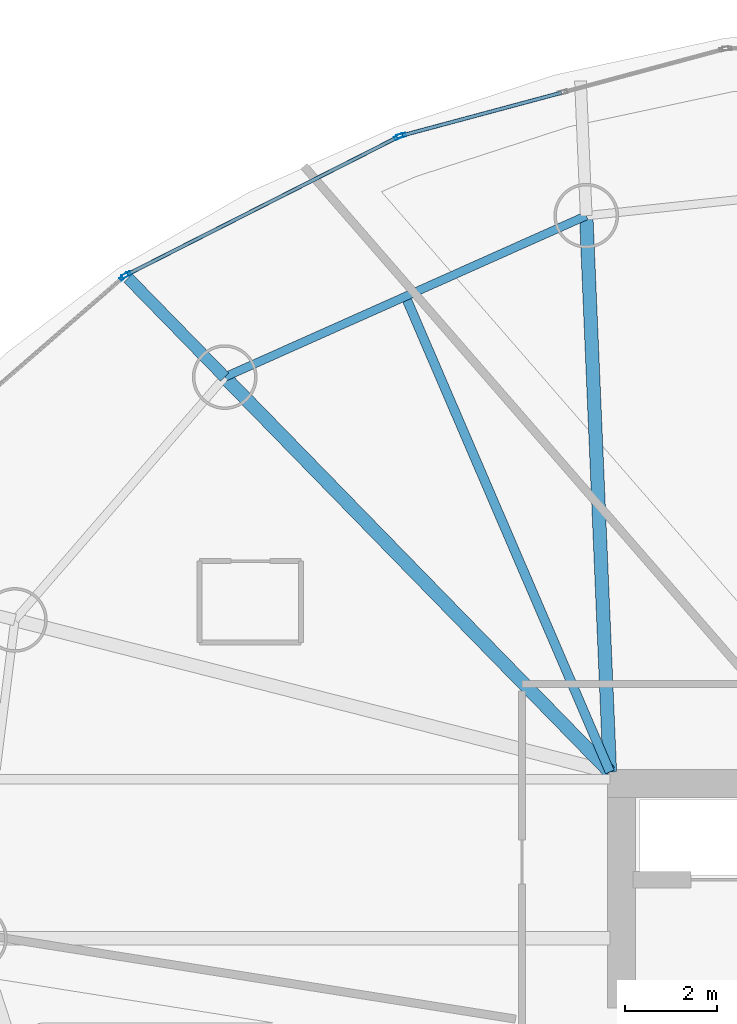
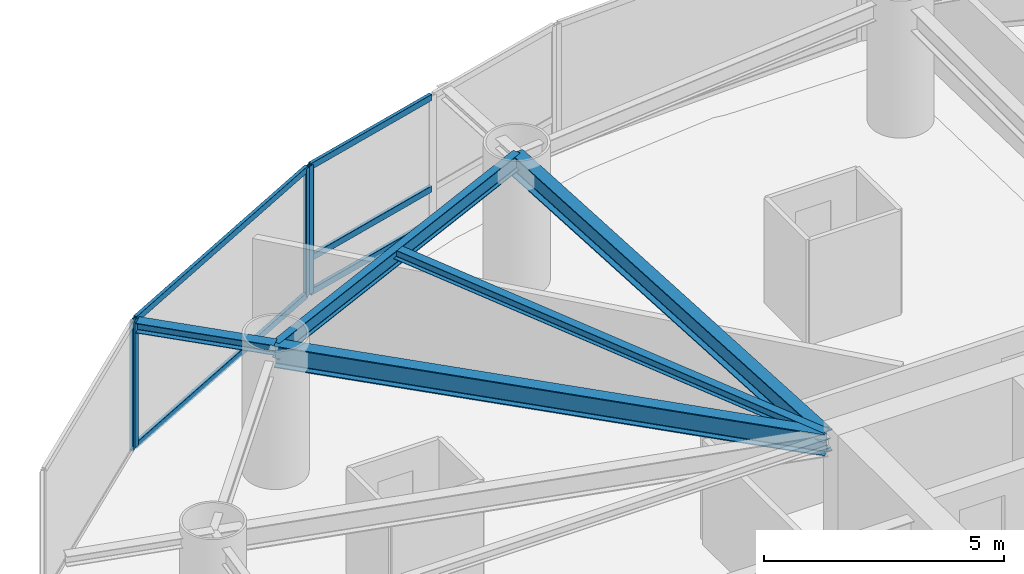
# One storey, part 8 of 19: 9 members, 5 beams, 3 elements without a shape of their own.
"""IFC4 building model written with IfcOpenShell, lengths in metres."""

from ifc_helpers import new_model, si_unit, direction, frame, origin, origin_2d, place, context, subcontext, project, spatial, hollow_rectangle, i_section, extrude, material, layer, layer_set, material_profile, profile_set, type_object, element, aggregate, save


model = new_model("IFC4")

# Units and contexts
model_context = context("Model", 3, precision=1e-05, world=origin(), true_north=direction((0.0, 1.0)))
body_context = subcontext(model_context, "Body", "Model", "MODEL_VIEW")
ifc_project = project(units=[si_unit("LENGTHUNIT", "METRE"), si_unit("AREAUNIT", "SQUARE_METRE"), si_unit("VOLUMEUNIT", "CUBIC_METRE"), si_unit("PLANEANGLEUNIT", "RADIAN"), si_unit("MASSUNIT", "GRAM", prefix="KILO")], contexts=[model_context])

# Site, building, storey
site_placement = place(None, origin())
site = spatial("IfcSite", under=ifc_project, at=site_placement, CompositionType="ELEMENT")
building_placement = place(site_placement, origin())
building = spatial("IfcBuilding", under=site, at=building_placement, Name="Bramvorn Convention Spire", CompositionType="ELEMENT")
storey_placement = place(building_placement, frame((0.0, 0.0, 109.800048828125)))
storey = spatial("IfcBuildingStorey", under=building, at=storey_placement, Name="L26", CompositionType="ELEMENT", Elevation=109.800048828125)

# Beams
ifc_material_1 = material(Name="Steel CSA G40.21 Grade 350 (350W)", Category="steel")
ifc_material_profile_1 = material_profile(ifc_material_1, i_section(OverallWidth=0.201904296875, OverallDepth=0.2470703125, WebThickness=0.00732421875, FlangeThickness=0.010986328125, FilletRadius=0.011962890625, at=origin_2d()))
ifc_profile_set_1 = profile_set([ifc_material_profile_1], Name="Steel CSA G40.21 Grade 350 (350W) - W250X49")
beam_type_1 = type_object("IfcBeamType", Name="BM-W250X49", PredefinedType="JOIST", material=ifc_profile_set_1)
beam_1_placement = place(storey_placement, frame((26.75, 33.449951171875, 3.136474609375), z_axis=(-0.394937739893, 0.918707886985, 0.0), x_axis=(-0.918707886985, -0.394937739893, 0.0)))
element("IfcBeam", 1, at=beam_1_placement, inside=storey, type_object=beam_type_1, Name="L26 composite floor joist 07", PredefinedType="JOIST", context=body_context, shape_type="SweptSolid", body=[
    extrude(i_section(OverallWidth=0.201904296875, OverallDepth=0.2470703125, WebThickness=0.00732421875, FlangeThickness=0.010986328125, FilletRadius=0.011962890625, at=origin_2d()), origin(), (0.0, 0.0, 1.0), 11.19384765625),
])
ifc_material_profile_2 = material_profile(ifc_material_1, i_section(OverallWidth=0.25390625, OverallDepth=0.2529296875, WebThickness=0.008544921875, FlangeThickness=0.01416015625, FilletRadius=0.011962890625, at=origin_2d()))
ifc_profile_set_2 = profile_set([ifc_material_profile_2], Name="Steel CSA G40.21 Grade 350 (350W) - W250X73")
beam_type_2 = type_object("IfcBeamType", Name="BM-W250X73", PredefinedType="BEAM", material=ifc_profile_set_2)
beam_2_placement = place(storey_placement, frame((18.420166015625, 41.9892578125, 3.133544921875), z_axis=(-0.698278977353, 0.715825725849, 0.0), x_axis=(-0.715825725849, -0.698278977353, 0.0)))
element("IfcBeam", 2, at=beam_2_placement, inside=storey, type_object=beam_type_2, Name="L26 slab-edge cantilever tip beam MC08", PredefinedType="BEAM", context=body_context, shape_type="SweptSolid", body=[
    extrude(i_section(OverallWidth=0.25390625, OverallDepth=0.2529296875, WebThickness=0.008544921875, FlangeThickness=0.01416015625, FilletRadius=0.011962890625, at=origin_2d()), origin(), (0.0, 0.0, 1.0), 2.991455078125),
])
ifc_material_profile_3 = material_profile(ifc_material_1, i_section(OverallWidth=0.180908203125, OverallDepth=0.4169921875, WebThickness=0.010986328125, FlangeThickness=0.018310546875, FilletRadius=0.01611328125, at=origin_2d()))
ifc_profile_set_3 = profile_set([ifc_material_profile_3], Name="Steel CSA G40.21 Grade 350 (350W) - W410X85")
beam_type_3 = type_object("IfcBeamType", Name="BM-W410X85", PredefinedType="JOIST", material=ifc_profile_set_3)
beam_3_placement = place(storey_placement, frame((26.23828125, 45.478759765625, 3.051513671875), z_axis=(-0.913169534701, -0.407579931908, 0.0), x_axis=(0.407579931908, -0.913169534701, 0.0)))
element("IfcBeam", 3, at=beam_3_placement, inside=storey, type_object=beam_type_3, Name="L26 mega-column ring beam 07", PredefinedType="JOIST", context=body_context, shape_type="SweptSolid", body=[
    extrude(i_section(OverallWidth=0.180908203125, OverallDepth=0.4169921875, WebThickness=0.010986328125, FlangeThickness=0.018310546875, FilletRadius=0.01611328125, at=origin_2d()), origin(), (0.0, 0.0, 1.0), 8.5615234375),
])
ifc_material_profile_4 = material_profile(ifc_material_1, i_section(OverallWidth=0.2919921875, OverallDepth=0.551025390625, WebThickness=0.01513671875, FlangeThickness=0.0244140625, FilletRadius=0.01904296875, at=origin_2d()))
ifc_profile_set_4 = profile_set([ifc_material_profile_4], Name="Steel CSA G40.21 Grade 350 (350W) - W530X182")
beam_type_4 = type_object("IfcBeamType", Name="BM-W530X182", PredefinedType="BEAM", material=ifc_profile_set_4)
beam_4_placement = place(storey_placement, frame((26.75, 33.449951171875, 2.984375), z_axis=(-0.042502657955, 0.999096353745, 0.0), x_axis=(-0.999096353745, -0.042502657955, 0.0)))
element("IfcBeam", 4, at=beam_4_placement, inside=storey, type_object=beam_type_4, Name="L26 radial floor girder MC07", PredefinedType="BEAM", context=body_context, shape_type="SweptSolid", body=[
    extrude(i_section(OverallWidth=0.2919921875, OverallDepth=0.551025390625, WebThickness=0.01513671875, FlangeThickness=0.0244140625, FilletRadius=0.01904296875, at=origin_2d()), origin(), (0.0, 0.0, 1.0), 12.039794921875),
])
beam_5_placement = place(storey_placement, frame((26.75, 33.449951171875, 2.984375), z_axis=(-0.698272445638, 0.715832097397, 0.0), x_axis=(-0.715832097397, -0.698272445638, 0.0)))
element("IfcBeam", 5, at=beam_5_placement, inside=storey, type_object=beam_type_4, Name="L26 radial floor girder MC08", PredefinedType="BEAM", context=body_context, shape_type="SweptSolid", body=[
    extrude(i_section(OverallWidth=0.2919921875, OverallDepth=0.551025390625, WebThickness=0.01513671875, FlangeThickness=0.0244140625, FilletRadius=0.01904296875, at=origin_2d()), origin(), (0.0, 0.0, 1.0), 11.92919921875),
])

# Curtain wall, member
ifc_material_2 = material(Name="Anodised Bronze Unitised Curtain Wall", Category="aluminium")
ifc_layer = layer(ifc_material_2, 0.179931640625)
ifc_layer_set = layer_set([ifc_layer], Name="Anodised Bronze Unitised Curtain Wall - CW-HTL-FRIT")
curtain_wall_type = type_object("IfcCurtainWallType", Name="CW-HTL-FRIT", PredefinedType="USERDEFINED", material=ifc_layer_set)
curtain_wall_1_placement = place(storey_placement, origin())
curtain_wall_1 = element("IfcCurtainWall", 6, at=curtain_wall_1_placement, inside=storey, type_object=curtain_wall_type, Name="L26 fritted glass curtain wall 09", ObjectType="UNITISED CURTAIN WALL", PredefinedType="USERDEFINED")
ifc_material_3 = material(Name="Anodised Bronze Aluminium 6063-T6", Category="aluminium")
ifc_material_profile_5 = material_profile(ifc_material_3, hollow_rectangle(XDim=0.080078125, YDim=0.199951171875, WallThickness=0.00390625, InnerFilletRadius=0.0009765625, OuterFilletRadius=0.00390625, at=origin_2d()))
ifc_profile_set_5 = profile_set([ifc_material_profile_5], Name="Anodised Bronze Aluminium 6063-T6 - CWM80X200")
member_type_1 = type_object("IfcMemberType", Name="CW-MUL-180", PredefinedType="MULLION", material=ifc_profile_set_5)
member_1_placement = place(storey_placement, frame((22.238037109375, 47.209716796875, 0.0), z_axis=(0.0, 0.0, 1.0), x_axis=(-0.259249943065, 0.965810264504, 0.0)))
member_1 = element("IfcMember", 7, at=member_1_placement, type_object=member_type_1, Name="CW2 mullion 1", PredefinedType="MULLION", context=body_context, shape_type="SweptSolid", body=[
    extrude(hollow_rectangle(XDim=0.080078125, YDim=0.199951171875, WallThickness=0.00390625, InnerFilletRadius=0.0009765625, OuterFilletRadius=0.00390625, at=origin_2d()), origin(), (0.0, 0.0, 1.0), 3.260009765625),
])

# Curtain wall, members
curtain_wall_2_placement = place(storey_placement, origin())
curtain_wall_2 = element("IfcCurtainWall", 8, at=curtain_wall_2_placement, inside=storey, type_object=curtain_wall_type, Name="L26 fritted glass curtain wall 10", ObjectType="UNITISED CURTAIN WALL", PredefinedType="USERDEFINED")
member_2_placement = place(storey_placement, frame((16.29248046875, 44.19873046875, 0.0), z_axis=(0.0, 0.0, 1.0), x_axis=(-0.452642624821, 0.891692017569, 0.0)))
member_2 = element("IfcMember", 9, at=member_2_placement, type_object=member_type_1, Name="CW2 mullion 1", PredefinedType="MULLION", context=body_context, shape_type="SweptSolid", body=[
    extrude(hollow_rectangle(XDim=0.080078125, YDim=0.199951171875, WallThickness=0.00390625, InnerFilletRadius=0.0009765625, OuterFilletRadius=0.00390625, at=origin_2d()), origin(), (0.0, 0.0, 1.0), 3.260009765625),
])
member_3_placement = place(storey_placement, frame((22.18212890625, 47.1884765625, 0.0), z_axis=(0.0, 0.0, 1.0), x_axis=(-0.452642624821, 0.891692017569, 0.0)))
member_3 = element("IfcMember", 10, at=member_3_placement, type_object=member_type_1, Name="CW2 mullion 2", PredefinedType="MULLION", context=body_context, shape_type="SweptSolid", body=[
    extrude(hollow_rectangle(XDim=0.080078125, YDim=0.199951171875, WallThickness=0.00390625, InnerFilletRadius=0.0009765625, OuterFilletRadius=0.00390625, at=origin_2d()), origin(), (0.0, 0.0, 1.0), 3.260009765625),
])

# Curtain wall, member
curtain_wall_3_placement = place(storey_placement, origin())
curtain_wall_3 = element("IfcCurtainWall", 11, at=curtain_wall_3_placement, inside=storey, type_object=curtain_wall_type, Name="L26 fritted glass curtain wall 11", ObjectType="UNITISED CURTAIN WALL", PredefinedType="USERDEFINED")
member_4_placement = place(storey_placement, frame((16.2431640625, 44.16552734375, 0.0), z_axis=(0.0, 0.0, 1.0), x_axis=(-0.655499842803, 0.755195309894, 0.0)))
member_4 = element("IfcMember", 12, at=member_4_placement, type_object=member_type_1, Name="CW2 mullion 2", PredefinedType="MULLION", context=body_context, shape_type="SweptSolid", body=[
    extrude(hollow_rectangle(XDim=0.080078125, YDim=0.199951171875, WallThickness=0.00390625, InnerFilletRadius=0.0009765625, OuterFilletRadius=0.00390625, at=origin_2d()), origin(), (0.0, 0.0, 1.0), 3.260009765625),
])
aggregate(curtain_wall_3, [member_4])

# Member
ifc_material_profile_6 = material_profile(ifc_material_3, hollow_rectangle(XDim=0.080078125, YDim=0.159912109375, WallThickness=0.00390625, InnerFilletRadius=0.0009765625, OuterFilletRadius=0.00390625, at=origin_2d()))
ifc_profile_set_6 = profile_set([ifc_material_profile_6], Name="Anodised Bronze Aluminium 6063-T6 - CWT80X160")
member_type_2 = type_object("IfcMemberType", Name="CW-TRN-150", PredefinedType="USERDEFINED", material=ifc_profile_set_6)
member_5_placement = place(storey_placement, frame((22.266845703125, 47.217529296875, 0.030029296875), z_axis=(0.965809719664, 0.259251972805, 0.0), x_axis=(-0.259251972805, 0.965809719664, 0.0)))
member_5 = element("IfcMember", 13, at=member_5_placement, type_object=member_type_2, Name="CW2 transom 1.1", ObjectType="TRANSOM", PredefinedType="USERDEFINED", context=body_context, shape_type="SweptSolid", body=[
    extrude(hollow_rectangle(XDim=0.080078125, YDim=0.159912109375, WallThickness=0.00390625, InnerFilletRadius=0.0009765625, OuterFilletRadius=0.00390625, at=origin_2d()), origin(), (0.0, 0.0, 1.0), 3.555908203125),
])

member_6_placement = place(storey_placement, frame((22.266845703125, 47.217529296875, 0.89990234375), z_axis=(0.965809719664, 0.259251972805, 0.0), x_axis=(-0.259251972805, 0.965809719664, 0.0)))
member_6 = element("IfcMember", 14, at=member_6_placement, type_object=member_type_2, Name="CW2 transom 1.2", ObjectType="TRANSOM", PredefinedType="USERDEFINED", context=body_context, shape_type="SweptSolid", body=[
    extrude(hollow_rectangle(XDim=0.080078125, YDim=0.159912109375, WallThickness=0.00390625, InnerFilletRadius=0.0009765625, OuterFilletRadius=0.00390625, at=origin_2d()), origin(), (0.0, 0.0, 1.0), 3.555908203125),
])

member_7_placement = place(storey_placement, frame((22.266845703125, 47.217529296875, 3.22998046875), z_axis=(0.965809719664, 0.259251972805, 0.0), x_axis=(-0.259251972805, 0.965809719664, 0.0)))
member_7 = element("IfcMember", 15, at=member_7_placement, type_object=member_type_2, Name="CW2 transom 1.3", ObjectType="TRANSOM", PredefinedType="USERDEFINED", context=body_context, shape_type="SweptSolid", body=[
    extrude(hollow_rectangle(XDim=0.080078125, YDim=0.159912109375, WallThickness=0.00390625, InnerFilletRadius=0.0009765625, OuterFilletRadius=0.00390625, at=origin_2d()), origin(), (0.0, 0.0, 1.0), 3.555908203125),
])

aggregate(curtain_wall_1, [member_1, member_5, member_6, member_7])

member_8_placement = place(storey_placement, frame((16.3193359375, 44.212158203125, 0.030029296875), z_axis=(0.891687616048, 0.452651295576, 0.0), x_axis=(-0.452651295576, 0.891687616048, 0.0)))
member_8 = element("IfcMember", 16, at=member_8_placement, type_object=member_type_2, Name="CW2 transom 1.1", ObjectType="TRANSOM", PredefinedType="USERDEFINED", context=body_context, shape_type="SweptSolid", body=[
    extrude(hollow_rectangle(XDim=0.080078125, YDim=0.159912109375, WallThickness=0.00390625, InnerFilletRadius=0.0009765625, OuterFilletRadius=0.00390625, at=origin_2d()), origin(), (0.0, 0.0, 1.0), 6.545166015625),
])

member_9_placement = place(storey_placement, frame((16.3193359375, 44.212158203125, 3.22998046875), z_axis=(0.891687616048, 0.452651295576, 0.0), x_axis=(-0.452651295576, 0.891687616048, 0.0)))
member_9 = element("IfcMember", 17, at=member_9_placement, type_object=member_type_2, Name="CW2 transom 1.2", ObjectType="TRANSOM", PredefinedType="USERDEFINED", context=body_context, shape_type="SweptSolid", body=[
    extrude(hollow_rectangle(XDim=0.080078125, YDim=0.159912109375, WallThickness=0.00390625, InnerFilletRadius=0.0009765625, OuterFilletRadius=0.00390625, at=origin_2d()), origin(), (0.0, 0.0, 1.0), 6.545166015625),
])

aggregate(curtain_wall_2, [member_2, member_3, member_8, member_9])

save(model, "model.ifc")
